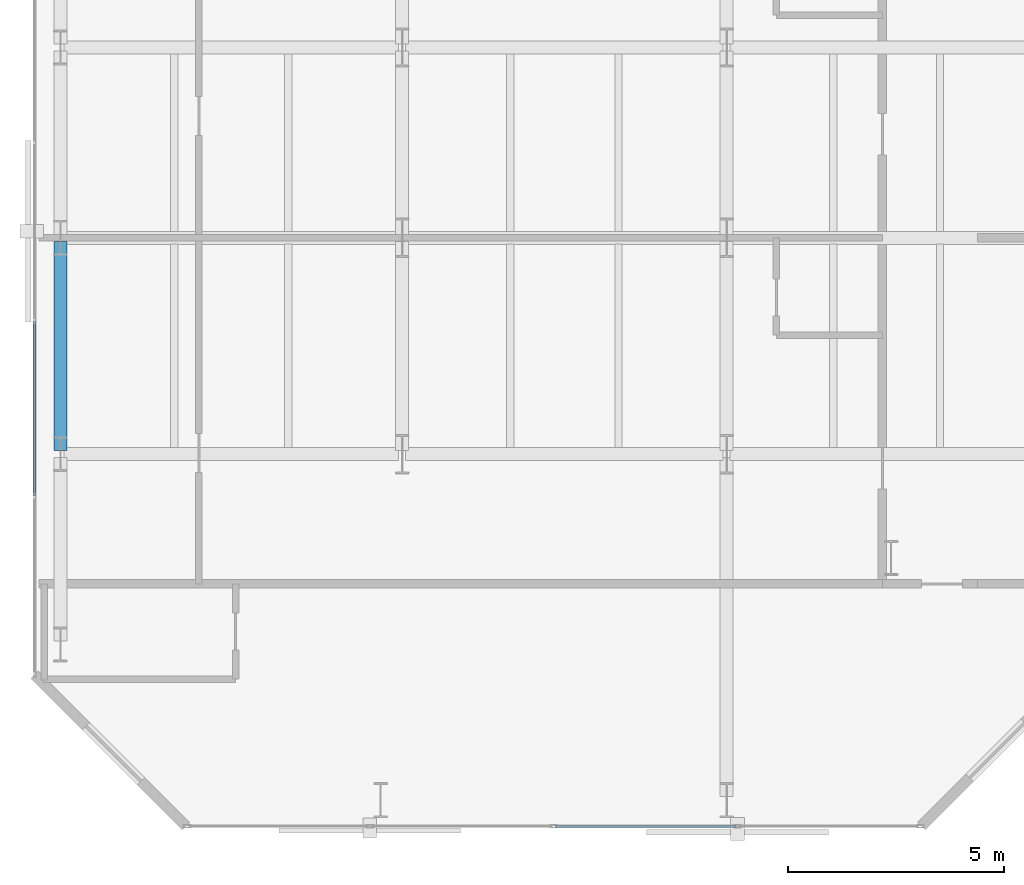
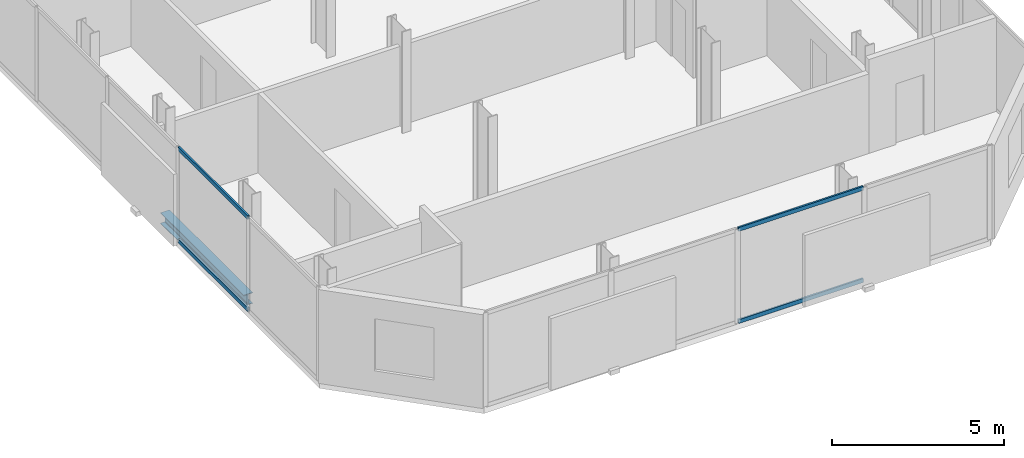
# One storey, part 4 of 33: 4 members, 1 beam, 2 elements without a shape of their own.
"""IFC4 building model written with IfcOpenShell, lengths in metres."""

from ifc_helpers import new_model, si_unit, direction, frame, origin, origin_2d, place, context, subcontext, project, spatial, hollow_rectangle, i_section, extrude, material, layer, layer_set, material_profile, profile_set, type_object, element, aggregate, save


model = new_model("IFC4")

# Units and contexts
model_context = context("Model", 3, precision=1e-05, world=origin(), true_north=direction((0.0, 1.0)))
body_context = subcontext(model_context, "Body", "Model", "MODEL_VIEW")
ifc_project = project(units=[si_unit("LENGTHUNIT", "METRE"), si_unit("AREAUNIT", "SQUARE_METRE"), si_unit("VOLUMEUNIT", "CUBIC_METRE"), si_unit("PLANEANGLEUNIT", "RADIAN"), si_unit("MASSUNIT", "GRAM", prefix="KILO")], contexts=[model_context])

# Site, building, storey
site_placement = place(None, origin())
site = spatial("IfcSite", under=ifc_project, at=site_placement, CompositionType="ELEMENT")
building_placement = place(site_placement, origin())
building = spatial("IfcBuilding", under=site, at=building_placement, Name="Catumbela Crestline Tower", CompositionType="ELEMENT")
storey_placement = place(building_placement, frame((0.0, 0.0, 51.0)))
storey = spatial("IfcBuildingStorey", under=building, at=storey_placement, Name="L12", CompositionType="ELEMENT", Elevation=51.0)

# Beam
ifc_material_1 = material(Name="Structural steel S355J2", Category="steel")
ifc_material_profile_1 = material_profile(ifc_material_1, i_section(OverallWidth=0.3, OverallDepth=0.39, WebThickness=0.011, FlangeThickness=0.019, FilletRadius=0.027, at=origin_2d()), Name="HEA 400")
ifc_profile_set_1 = profile_set([ifc_material_profile_1], Name="Structural steel S355J2")
beam_type = type_object("IfcBeamType", Name="BS-HEA400", PredefinedType="SPANDREL", material=ifc_profile_set_1)
beam_placement = place(storey_placement, frame((0.6, 8.68, -0.455), z_axis=(0.0, 1.0, 0.0), x_axis=(-1.0, 0.0, 0.0)))
element("IfcBeam", 1, at=beam_placement, inside=storey, type_object=beam_type, Name="L12 Spandrel SP-L12-WNS58", PredefinedType="SPANDREL", context=body_context, shape_type="SweptSolid", body=[
    extrude(i_section(OverallWidth=0.3, OverallDepth=0.39, WebThickness=0.011, FlangeThickness=0.019, FilletRadius=0.027, at=origin_2d()), origin(), (0.0, 0.0, 1.0), 4.84),
])

# Curtain wall, members
ifc_material_2 = material(Name="Aluminium alloy AW-6060-T66", Category="aluminium")
ifc_layer = layer(ifc_material_2, 0.18, Name="Aluminium alloy AW-6060-T66")
ifc_layer_set = layer_set([ifc_layer], Name="Aluminium alloy AW-6060-T66")
curtain_wall_type = type_object("IfcCurtainWallType", Name="CWU-Z1", PredefinedType="USERDEFINED", material=ifc_layer_set)
curtain_wall_1_placement = place(storey_placement, origin())
curtain_wall_1 = element("IfcCurtainWall", 2, at=curtain_wall_1_placement, inside=storey, type_object=curtain_wall_type, Name="L12 Unitised Curtain Wall CW-L12-E0S1", ObjectType="UNITISED", PredefinedType="USERDEFINED")
ifc_material_profile_2 = material_profile(ifc_material_2, hollow_rectangle(XDim=0.06, YDim=0.14, WallThickness=0.004, at=origin_2d()), Name="ALU 140x60x4")
ifc_profile_set_2 = profile_set([ifc_material_profile_2], Name="Aluminium alloy AW-6060-T66")
member_type = type_object("IfcMemberType", Name="TRN-140X60", PredefinedType="USERDEFINED", material=ifc_profile_set_2)
member_1_placement = place(storey_placement, frame((12.0325, 0.0, 0.03), z_axis=(1.0, 0.0, 0.0), x_axis=(0.0, 1.0, 0.0)))
member_1 = element("IfcMember", 3, at=member_1_placement, type_object=member_type, Name="CWU-Z1 transom 3.1", ObjectType="TRANSOM", PredefinedType="USERDEFINED", context=body_context, shape_type="SweptSolid", body=[
    extrude(hollow_rectangle(XDim=0.06, YDim=0.14, WallThickness=0.004, at=origin_2d()), origin(), (0.0, 0.0, 1.0), 4.185),
])
member_2_placement = place(storey_placement, frame((12.0325, 0.0, 3.3), z_axis=(1.0, 0.0, 0.0), x_axis=(0.0, 1.0, 0.0)))
member_2 = element("IfcMember", 4, at=member_2_placement, type_object=member_type, Name="CWU-Z1 transom 3.2", ObjectType="TRANSOM", PredefinedType="USERDEFINED", context=body_context, shape_type="SweptSolid", body=[
    extrude(hollow_rectangle(XDim=0.06, YDim=0.14, WallThickness=0.004, at=origin_2d()), origin(), (0.0, 0.0, 1.0), 4.185),
])
aggregate(curtain_wall_1, [member_1, member_2])

curtain_wall_2_placement = place(storey_placement, origin())
curtain_wall_2 = element("IfcCurtainWall", 5, at=curtain_wall_2_placement, inside=storey, type_object=curtain_wall_type, Name="L12 Unitised Curtain Wall CW-L12-E9S1", ObjectType="UNITISED", PredefinedType="USERDEFINED")
member_3_placement = place(storey_placement, frame((0.0, 11.6675, 0.03), z_axis=(0.0, -1.0, 0.0), x_axis=(1.0, 0.0, 0.0)))
member_3 = element("IfcMember", 6, at=member_3_placement, type_object=member_type, Name="CWU-Z1 transom 9.1", ObjectType="TRANSOM", PredefinedType="USERDEFINED", context=body_context, shape_type="SweptSolid", body=[
    extrude(hollow_rectangle(XDim=0.06, YDim=0.14, WallThickness=0.004, at=origin_2d()), origin(), (0.0, 0.0, 1.0), 4.035),
])
member_4_placement = place(storey_placement, frame((0.0, 11.6675, 3.3), z_axis=(0.0, -1.0, 0.0), x_axis=(1.0, 0.0, 0.0)))
member_4 = element("IfcMember", 7, at=member_4_placement, type_object=member_type, Name="CWU-Z1 transom 9.2", ObjectType="TRANSOM", PredefinedType="USERDEFINED", context=body_context, shape_type="SweptSolid", body=[
    extrude(hollow_rectangle(XDim=0.06, YDim=0.14, WallThickness=0.004, at=origin_2d()), origin(), (0.0, 0.0, 1.0), 4.035),
])
aggregate(curtain_wall_2, [member_3, member_4])

save(model, "model.ifc")
